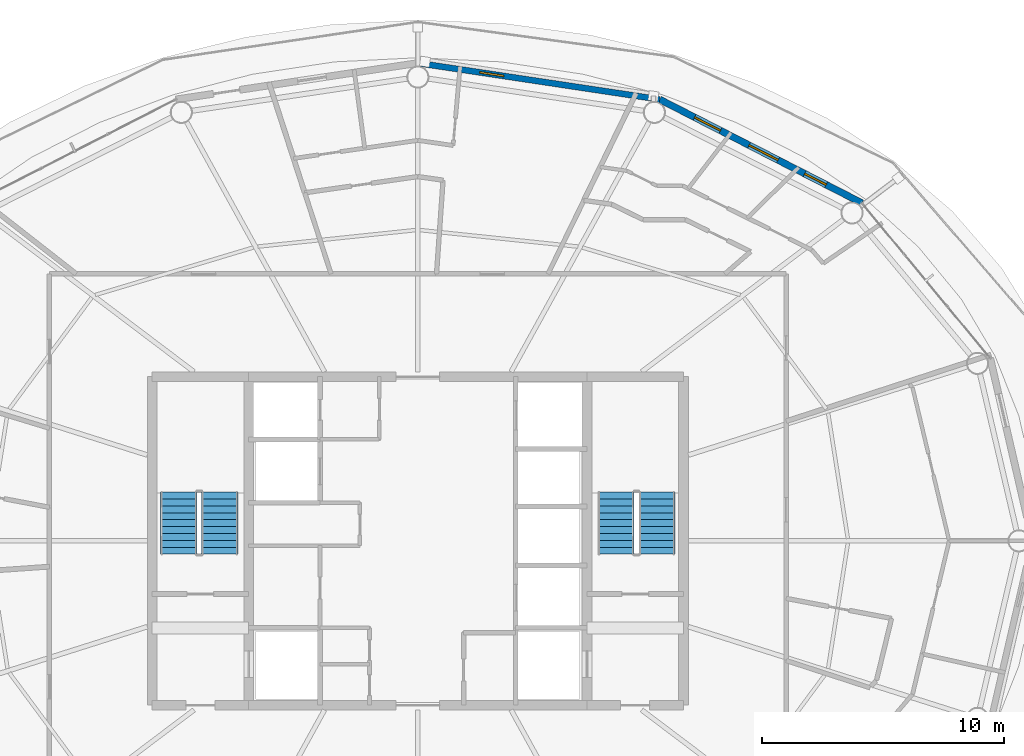
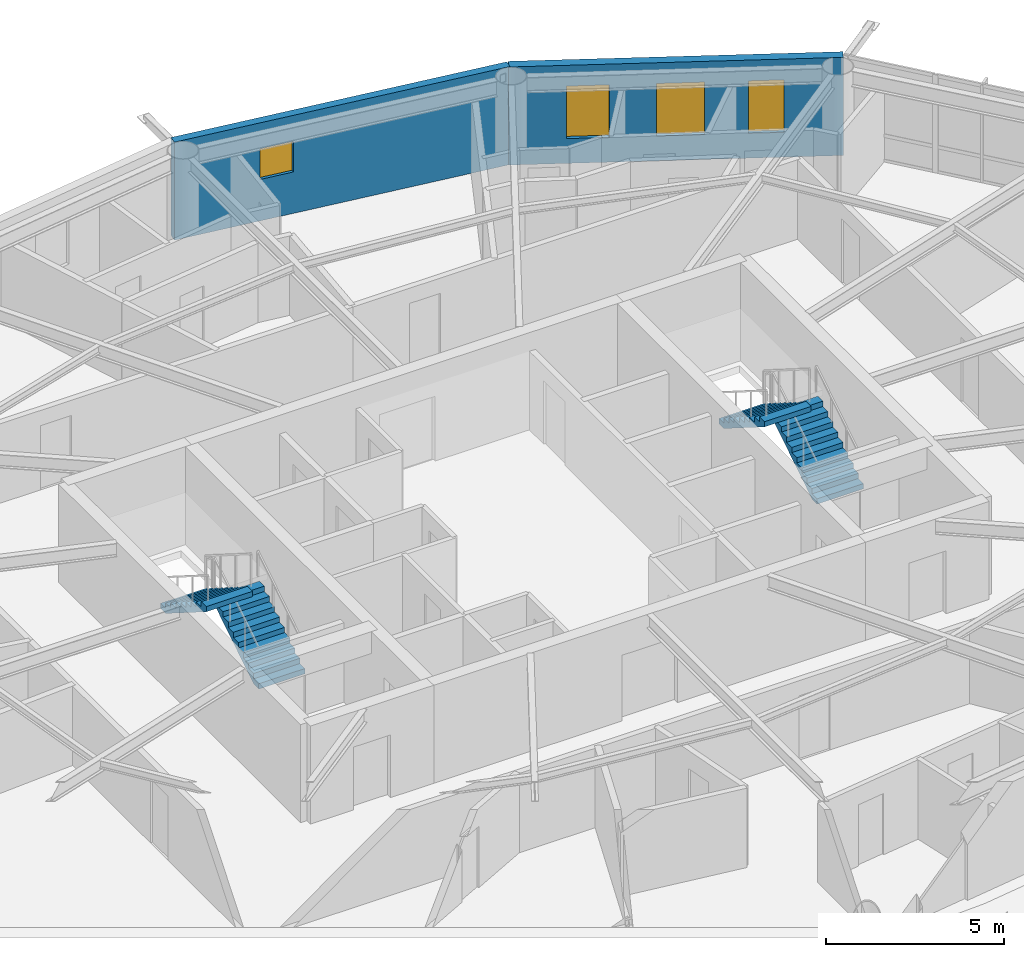
# One storey, part 20 of 23: 4 stair flights, 4 windows, 2 walls, 4 openings, 2 elements without a shape of their own.
"""IFC4 building model written with IfcOpenShell, lengths in metres."""

from ifc_helpers import new_model, si_unit, direction, frame, frame_2d, origin, place, context, subcontext, project, spatial, polyline, rectangle, outline, extrude, material, layer, layer_set, type_object, element, fill, aggregate, save


model = new_model("IFC4")

# Units and contexts
model_context = context("Model", 3, precision=1e-05, world=origin(), true_north=direction((0.0, 1.0)))
body_context = subcontext(model_context, "Body", "Model", "MODEL_VIEW")
ifc_project = project(units=[si_unit("LENGTHUNIT", "METRE"), si_unit("AREAUNIT", "SQUARE_METRE"), si_unit("VOLUMEUNIT", "CUBIC_METRE"), si_unit("PLANEANGLEUNIT", "RADIAN"), si_unit("MASSUNIT", "GRAM", prefix="KILO")], contexts=[model_context])

# Site, building, storey
site_placement = place(None, origin())
site = spatial("IfcSite", under=ifc_project, at=site_placement, CompositionType="ELEMENT")
building_placement = place(site_placement, origin())
building = spatial("IfcBuilding", under=site, at=building_placement, Name="Sarneth Arch Tower", CompositionType="ELEMENT")
storey_placement = place(building_placement, frame((0.0, 0.0, 224.39990234375)))
storey = spatial("IfcBuildingStorey", under=building, at=storey_placement, Name="L57", CompositionType="ELEMENT", Elevation=224.39990234375)

# Wall, opening, window
ifc_material_1 = material(Name="Extruded terracotta rainscreen on Concrete C40/50 backing", Category="masonry")
ifc_layer_1 = layer(ifc_material_1, 0.25)
ifc_layer_set_1 = layer_set([ifc_layer_1], Name="Extruded terracotta rainscreen on Concrete C40/50 backing")
wall_type_1 = type_object("IfcWallType", Name="WALL-EXT-SPAND-250", PredefinedType="SOLIDWALL", material=ifc_layer_set_1)
wall_1_placement = place(storey_placement, frame((58.0126953125, 60.2744140625, 0.0), z_axis=(0.0, 0.0, 1.0), x_axis=(-0.988882522213, 0.148698881169, 0.0)))
wall_1 = element("IfcWall", 1, at=wall_1_placement, inside=storey, type_object=wall_type_1, Name="L57 Terracotta perimeter wall 04", PredefinedType="SOLIDWALL", context=body_context, shape_type="SweptSolid", body=[
    extrude(rectangle(XDim=10.125244140625, YDim=0.25, at=frame_2d((5.0625, 0.0))), origin(), (0.0, 0.0, 1.0), 3.360107421875),
])
opening_1_placement = place(wall_1_placement, frame((6.5341796875, 0.0, 1.419921875)))
opening_1 = element("IfcOpeningElement", 2, at=opening_1_placement, cuts=wall_1, Name="Opening W-14", PredefinedType="OPENING", context=body_context, shape_type="SweptSolid", body=[
    extrude(rectangle(XDim=1.0, YDim=1.050048828125, at=frame_2d((0.5, 0.52490234375))), frame((0.0, 0.135009765625, 0.0), z_axis=(0.0, -1.0, 0.0), x_axis=(1.0, 0.0, 0.0)), (0.0, 0.0, 1.0), 0.27001953125),
])
ifc_material_2 = material(Name="Thermally broken Aluminium 6063-T6 and low-e laminated IGU", Category="aluminium")
window_type_1 = type_object("IfcWindowType", Name="WIN-TWR-1000x1050", PartitioningType="SINGLE_PANEL", PredefinedType="WINDOW", material=ifc_material_2)
window_1_placement = place(opening_1_placement, origin())
window_1 = element("IfcWindow", 3, at=window_1_placement, inside=storey, type_object=window_type_1, Name="L57 Dwelling bedroom window 01", OverallHeight=1.050048828125, OverallWidth=1.0, PartitioningType="SINGLE_PANEL", PredefinedType="WINDOW", context=body_context, shape_type="SweptSolid", body=[
    extrude(rectangle(XDim=1.0, YDim=1.050048828125, at=frame_2d((0.5, 0.52490234375))), frame((0.0, 0.030029296875, 0.0), z_axis=(0.0, -1.0, 0.0), x_axis=(1.0, 0.0, 0.0)), (0.0, 0.0, 1.0), 0.06005859375),
])
fill(opening_1, window_1)

# Wall, openings, windows
ifc_material_3 = material(Name="Extruded terracotta rainscreen on Concrete C40/50 backing", Category="masonry")
ifc_layer_2 = layer(ifc_material_3, 0.280029296875)
ifc_layer_set_2 = layer_set([ifc_layer_2], Name="Extruded terracotta rainscreen on Concrete C40/50 backing")
wall_type_2 = type_object("IfcWallType", Name="WALL-EXT-TERRA-280", PredefinedType="SOLIDWALL", material=ifc_layer_set_2)
wall_2_placement = place(storey_placement, frame((66.382568359375, 55.986572265625, 0.0), z_axis=(0.0, 0.0, 1.0), x_axis=(-0.890007394051, 0.455946091699, 0.0)))
wall_2 = element("IfcWall", 4, at=wall_2_placement, inside=storey, type_object=wall_type_2, Name="L57 Terracotta perimeter wall 03", PredefinedType="SOLIDWALL", context=body_context, shape_type="SweptSolid", body=[
    extrude(rectangle(XDim=9.404296875, YDim=0.280029296875, at=frame_2d((4.7021484375, 0.0))), origin(), (0.0, 0.0, 1.0), 3.360107421875),
])
opening_2_placement = place(wall_2_placement, frame((1.6611328125, 0.0, 0.85009765625)))
opening_2 = element("IfcOpeningElement", 5, at=opening_2_placement, cuts=wall_2, Name="Opening W-11", PredefinedType="OPENING", context=body_context, shape_type="SweptSolid", body=[
    extrude(rectangle(XDim=1.0, YDim=1.800048828125, at=frame_2d((0.5, 0.89990234375))), frame((0.0, 0.14990234375, 0.0), z_axis=(0.0, -1.0, 0.0), x_axis=(1.0, 0.0, 0.0)), (0.0, 0.0, 1.0), 0.300048828125),
])
opening_3_placement = place(wall_2_placement, frame((3.897705078125, 0.0, 0.85009765625)))
opening_3 = element("IfcOpeningElement", 6, at=opening_3_placement, cuts=wall_2, Name="Opening W-08", PredefinedType="OPENING", context=body_context, shape_type="SweptSolid", body=[
    extrude(rectangle(XDim=1.35009765625, YDim=1.800048828125, at=frame_2d((0.675048828125, 0.89990234375))), frame((0.0, 0.14990234375, 0.0), z_axis=(0.0, -1.0, 0.0), x_axis=(1.0, 0.0, 0.0)), (0.0, 0.0, 1.0), 0.300048828125),
])
opening_4_placement = place(wall_2_placement, frame((6.577880859375, 0.0, 0.85009765625)))
opening_4 = element("IfcOpeningElement", 7, at=opening_4_placement, cuts=wall_2, Name="Opening W-09", PredefinedType="OPENING", context=body_context, shape_type="SweptSolid", body=[
    extrude(rectangle(XDim=1.199951171875, YDim=1.800048828125, at=frame_2d((0.60009765625, 0.89990234375))), frame((0.0, 0.14990234375, 0.0), z_axis=(0.0, -1.0, 0.0), x_axis=(1.0, 0.0, 0.0)), (0.0, 0.0, 1.0), 0.300048828125),
])
ifc_material_4 = material(Name="Thermally broken Aluminium 6063-T6 and low-e laminated IGU", Category="aluminium")
window_type_2 = type_object("IfcWindowType", Name="WIN-TWR-1000x1800", PartitioningType="SINGLE_PANEL", PredefinedType="WINDOW", material=ifc_material_4)
window_2_placement = place(opening_2_placement, origin())
window_2 = element("IfcWindow", 8, at=window_2_placement, inside=storey, type_object=window_type_2, Name="L57 Exterior window 03A", OverallHeight=1.800048828125, OverallWidth=1.0, PartitioningType="SINGLE_PANEL", PredefinedType="WINDOW", context=body_context, shape_type="SweptSolid", body=[
    extrude(rectangle(XDim=1.0, YDim=1.800048828125, at=frame_2d((0.5, 0.89990234375))), frame((0.0, 0.030029296875, 0.0), z_axis=(0.0, -1.0, 0.0), x_axis=(1.0, 0.0, 0.0)), (0.0, 0.0, 1.0), 0.06005859375),
])
fill(opening_2, window_2)
ifc_material_5 = material(Name="Thermally broken Aluminium 6063-T6 and low-e laminated IGU", Category="aluminium")
window_type_3 = type_object("IfcWindowType", Name="WIN-TWR-1200x1800", PartitioningType="SINGLE_PANEL", PredefinedType="WINDOW", material=ifc_material_5)
window_3_placement = place(opening_4_placement, origin())
window_3 = element("IfcWindow", 9, at=window_3_placement, inside=storey, type_object=window_type_3, Name="L57 Exterior window 03C", OverallHeight=1.800048828125, OverallWidth=1.199951171875, PartitioningType="SINGLE_PANEL", PredefinedType="WINDOW", context=body_context, shape_type="SweptSolid", body=[
    extrude(rectangle(XDim=1.199951171875, YDim=1.800048828125, at=frame_2d((0.60009765625, 0.89990234375))), frame((0.0, 0.030029296875, 0.0), z_axis=(0.0, -1.0, 0.0), x_axis=(1.0, 0.0, 0.0)), (0.0, 0.0, 1.0), 0.06005859375),
])
fill(opening_4, window_3)
ifc_material_6 = material(Name="Thermally broken Aluminium 6063-T6 and low-e laminated IGU", Category="aluminium")
window_type_4 = type_object("IfcWindowType", Name="WIN-TWR-1350x1800", PartitioningType="SINGLE_PANEL", PredefinedType="WINDOW", material=ifc_material_6)
window_4_placement = place(opening_3_placement, origin())
window_4 = element("IfcWindow", 10, at=window_4_placement, inside=storey, type_object=window_type_4, Name="L57 Exterior window 03B", OverallHeight=1.800048828125, OverallWidth=1.35009765625, PartitioningType="SINGLE_PANEL", PredefinedType="WINDOW", context=body_context, shape_type="SweptSolid", body=[
    extrude(rectangle(XDim=1.35009765625, YDim=1.800048828125, at=frame_2d((0.675048828125, 0.89990234375))), frame((0.0, 0.030029296875, 0.0), z_axis=(0.0, -1.0, 0.0), x_axis=(1.0, 0.0, 0.0)), (0.0, 0.0, 1.0), 0.06005859375),
])
fill(opening_3, window_4)

# Stair, stair flights
ifc_material_7 = material(Name="Concrete C50/60", Category="concrete")
stair_type = type_object("IfcStairType", Name="STAIR-CORE-RC", PredefinedType="HALF_TURN_STAIR", material=ifc_material_7)
stair_1_placement = place(storey_placement, origin())
stair_1 = element("IfcStair", 11, at=stair_1_placement, inside=storey, type_object=stair_type, Name="L57 Core Exit Stair 1", PredefinedType="HALF_TURN_STAIR")
ifc_material_8 = material(Name="Concrete C50/60", Category="concrete")
stair_flight_type = type_object("IfcStairFlightType", Name="FLIGHT-RC-1500", PredefinedType="STRAIGHT", material=ifc_material_8)
stair_flight_1_placement = place(storey_placement, frame((39.800048828125, 41.449951171875, 0.0), z_axis=(0.0, 0.0, 1.0), x_axis=(0.0, 1.0, 0.0)))
stair_flight_1 = element("IfcStairFlight", 12, at=stair_flight_1_placement, type_object=stair_flight_type, Name="ST-1 flight 1", NumberOfRisers=10, NumberOfTreads=9, PredefinedType="STRAIGHT", RiserHeight=0.18, TreadLength=0.285, context=body_context, shape_type="SweptSolid", body=[
    extrude(outline(polyline([(0.0, 0.0), (0.0, 0.179931640625), (0.284912109375, 0.179931640625), (0.284912109375, 0.360107421875), (0.570068359375, 0.360107421875), (0.570068359375, 0.5400390625), (0.85498046875, 0.5400390625), (0.85498046875, 0.719970703125), (1.139892578125, 0.719970703125), (1.139892578125, 0.89990234375), (1.425048828125, 0.89990234375), (1.425048828125, 1.080078125), (1.7099609375, 1.080078125), (1.7099609375, 1.260009765625), (1.9951171875, 1.260009765625), (1.9951171875, 1.43994140625), (2.280029296875, 1.43994140625), (2.280029296875, 1.6201171875), (2.56494140625, 1.6201171875), (2.56494140625, 1.800048828125), (2.56494140625, 1.442626953125), (0.28076171875, 0.0), (0.0, 0.0)])), frame((0.0, 0.75, 0.0), z_axis=(0.0, -1.0, 0.0), x_axis=(1.0, 0.0, 0.0)), (0.0, 0.0, 1.0), 1.5),
])
stair_flight_2_placement = place(storey_placement, frame((38.10009765625, 44.014892578125, 1.800048828125), z_axis=(0.0, 0.0, 1.0), x_axis=(0.0, -1.0, 0.0)))
stair_flight_2 = element("IfcStairFlight", 13, at=stair_flight_2_placement, type_object=stair_flight_type, Name="ST-1 flight 2", NumberOfRisers=10, NumberOfTreads=9, PredefinedType="STRAIGHT", RiserHeight=0.18, TreadLength=0.285, context=body_context, shape_type="SweptSolid", body=[
    extrude(outline(polyline([(0.0, 0.0), (0.0, 0.179931640625), (0.284912109375, 0.179931640625), (0.284912109375, 0.360107421875), (0.570068359375, 0.360107421875), (0.570068359375, 0.5400390625), (0.85498046875, 0.5400390625), (0.85498046875, 0.719970703125), (1.139892578125, 0.719970703125), (1.139892578125, 0.89990234375), (1.425048828125, 0.89990234375), (1.425048828125, 1.080078125), (1.7099609375, 1.080078125), (1.7099609375, 1.260009765625), (1.9951171875, 1.260009765625), (1.9951171875, 1.43994140625), (2.280029296875, 1.43994140625), (2.280029296875, 1.6201171875), (2.56494140625, 1.6201171875), (2.56494140625, 1.800048828125), (2.56494140625, 1.442626953125), (0.28076171875, 0.0), (0.0, 0.0)])), frame((0.0, 0.75, 0.0), z_axis=(0.0, -1.0, 0.0), x_axis=(1.0, 0.0, 0.0)), (0.0, 0.0, 1.0), 1.5),
])
aggregate(stair_1, [stair_flight_1, stair_flight_2])

stair_2_placement = place(storey_placement, origin())
stair_2 = element("IfcStair", 14, at=stair_2_placement, inside=storey, type_object=stair_type, Name="L57 Core Exit Stair 2", PredefinedType="HALF_TURN_STAIR")
stair_flight_3_placement = place(storey_placement, frame((57.89990234375, 41.449951171875, 0.0), z_axis=(0.0, 0.0, 1.0), x_axis=(0.0, 1.0, 0.0)))
stair_flight_3 = element("IfcStairFlight", 15, at=stair_flight_3_placement, type_object=stair_flight_type, Name="ST-2 flight 1", NumberOfRisers=10, NumberOfTreads=9, PredefinedType="STRAIGHT", RiserHeight=0.18, TreadLength=0.285, context=body_context, shape_type="SweptSolid", body=[
    extrude(outline(polyline([(0.0, 0.0), (0.0, 0.179931640625), (0.284912109375, 0.179931640625), (0.284912109375, 0.360107421875), (0.570068359375, 0.360107421875), (0.570068359375, 0.5400390625), (0.85498046875, 0.5400390625), (0.85498046875, 0.719970703125), (1.139892578125, 0.719970703125), (1.139892578125, 0.89990234375), (1.425048828125, 0.89990234375), (1.425048828125, 1.080078125), (1.7099609375, 1.080078125), (1.7099609375, 1.260009765625), (1.9951171875, 1.260009765625), (1.9951171875, 1.43994140625), (2.280029296875, 1.43994140625), (2.280029296875, 1.6201171875), (2.56494140625, 1.6201171875), (2.56494140625, 1.800048828125), (2.56494140625, 1.442626953125), (0.28076171875, 0.0), (0.0, 0.0)])), frame((0.0, 0.75, 0.0), z_axis=(0.0, -1.0, 0.0), x_axis=(1.0, 0.0, 0.0)), (0.0, 0.0, 1.0), 1.5),
])
stair_flight_4_placement = place(storey_placement, frame((56.199951171875, 44.014892578125, 1.800048828125), z_axis=(0.0, 0.0, 1.0), x_axis=(0.0, -1.0, 0.0)))
stair_flight_4 = element("IfcStairFlight", 16, at=stair_flight_4_placement, type_object=stair_flight_type, Name="ST-2 flight 2", NumberOfRisers=10, NumberOfTreads=9, PredefinedType="STRAIGHT", RiserHeight=0.18, TreadLength=0.285, context=body_context, shape_type="SweptSolid", body=[
    extrude(outline(polyline([(0.0, 0.0), (0.0, 0.179931640625), (0.284912109375, 0.179931640625), (0.284912109375, 0.360107421875), (0.570068359375, 0.360107421875), (0.570068359375, 0.5400390625), (0.85498046875, 0.5400390625), (0.85498046875, 0.719970703125), (1.139892578125, 0.719970703125), (1.139892578125, 0.89990234375), (1.425048828125, 0.89990234375), (1.425048828125, 1.080078125), (1.7099609375, 1.080078125), (1.7099609375, 1.260009765625), (1.9951171875, 1.260009765625), (1.9951171875, 1.43994140625), (2.280029296875, 1.43994140625), (2.280029296875, 1.6201171875), (2.56494140625, 1.6201171875), (2.56494140625, 1.800048828125), (2.56494140625, 1.442626953125), (0.28076171875, 0.0), (0.0, 0.0)])), frame((0.0, 0.75, 0.0), z_axis=(0.0, -1.0, 0.0), x_axis=(1.0, 0.0, 0.0)), (0.0, 0.0, 1.0), 1.5),
])
aggregate(stair_2, [stair_flight_3, stair_flight_4])

save(model, "model.ifc")
